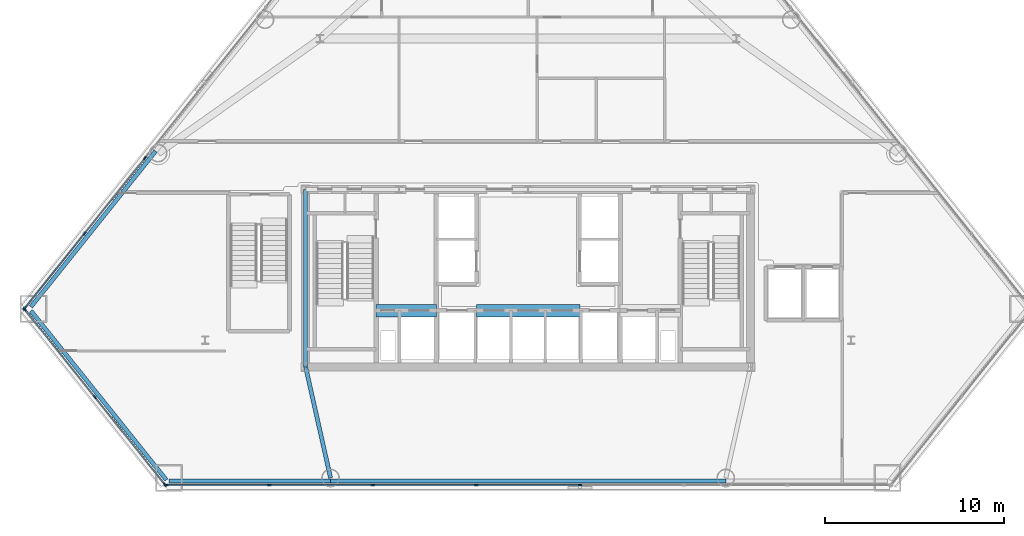
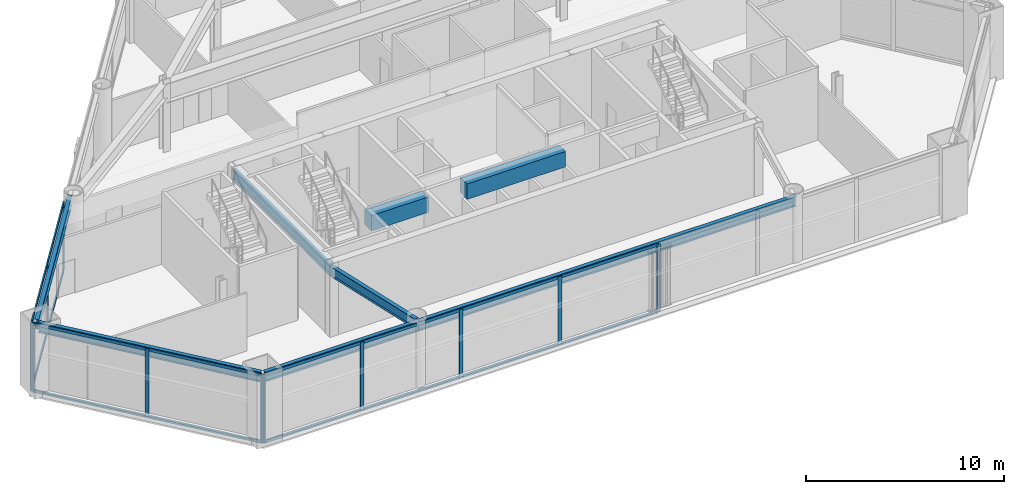
# One storey, part 3 of 13: 27 members, 8 beams, 3 elements without a shape of their own.
"""IFC4 building model written with IfcOpenShell, lengths in metres."""

from ifc_helpers import new_model, si_unit, direction, frame, origin, origin_2d, place, context, subcontext, project, spatial, rectangle, i_section, extrude, material, layer, layer_set, material_profile, profile_set, type_object, element, aggregate, save


model = new_model("IFC4")

# Units and contexts
model_context = context("Model", 3, precision=1e-05, world=origin(), true_north=direction((0.0, 1.0)))
body_context = subcontext(model_context, "Body", "Model", "MODEL_VIEW")
ifc_project = project(units=[si_unit("LENGTHUNIT", "METRE"), si_unit("AREAUNIT", "SQUARE_METRE"), si_unit("VOLUMEUNIT", "CUBIC_METRE"), si_unit("PLANEANGLEUNIT", "RADIAN"), si_unit("MASSUNIT", "GRAM", prefix="KILO")], contexts=[model_context])

# Site, building, storey
site_placement = place(None, origin())
site = spatial("IfcSite", under=ifc_project, at=site_placement, CompositionType="ELEMENT")
building_placement = place(site_placement, origin())
building = spatial("IfcBuilding", under=site, at=building_placement, Name="Talgorran Terracotta Tower", CompositionType="ELEMENT")
storey_placement = place(building_placement, frame((0.0, 0.0, 9.89990234375)))
storey = spatial("IfcBuildingStorey", under=building, at=storey_placement, Name="L02", CompositionType="ELEMENT", Elevation=9.89990234375)

# Beams
ifc_material_1 = material(Name="Concrete C65/80", Category="concrete")
ifc_material_profile_1 = material_profile(ifc_material_1, rectangle(XDim=0.699951171875, YDim=0.949951171875, at=origin_2d()), Name="RCCB700X950")
ifc_profile_set_1 = profile_set([ifc_material_profile_1], Name="Concrete C65/80")
beam_type_1 = type_object("IfcBeamType", Name="BM_CB_700X950", PredefinedType="LINTEL", material=ifc_profile_set_1)
beam_1_placement = place(storey_placement, frame((-8.47998046875, -10.949951171875, 3.7451171875), z_axis=(1.0, 0.0, 0.0), x_axis=(0.0, 1.0, 0.0)))
element("IfcBeam", 1, at=beam_1_placement, inside=storey, type_object=beam_type_1, Name="L02 Core Shear-Wall Coupling Beam CB1", PredefinedType="LINTEL", context=body_context, shape_type="SweptSolid", body=[
    extrude(rectangle(XDim=0.699951171875, YDim=0.949951171875, at=origin_2d()), origin(), (0.0, 0.0, 1.0), 3.35986328125),
])
beam_2_placement = place(storey_placement, frame((-2.8798828125, -10.949951171875, 3.7451171875), z_axis=(1.0, 0.0, 0.0), x_axis=(0.0, 1.0, 0.0)))
element("IfcBeam", 2, at=beam_2_placement, inside=storey, type_object=beam_type_1, Name="L02 Core Shear-Wall Coupling Beam CB2", PredefinedType="LINTEL", context=body_context, shape_type="SweptSolid", body=[
    extrude(rectangle(XDim=0.699951171875, YDim=0.949951171875, at=origin_2d()), origin(), (0.0, 0.0, 1.0), 5.759765625),
])
ifc_material_2 = material(Name="Steel S355 (300PLUS)", Category="steel")
ifc_material_profile_2 = material_profile(ifc_material_2, i_section(OverallWidth=0.22900390625, OverallDepth=0.611572265625, WebThickness=0.011962890625, FlangeThickness=0.01953125, at=origin_2d()), Name="610UB125")
ifc_profile_set_2 = profile_set([ifc_material_profile_2], Name="Steel S355 (300PLUS)")
beam_type_2 = type_object("IfcBeamType", Name="BM_SP_610UB125", PredefinedType="SPANDREL", material=ifc_profile_set_2)
beam_3_placement = place(storey_placement, frame((-27.710205078125, -10.968505859375, 3.914306640625), z_axis=(0.625116627788, -0.780531358539, 0.0), x_axis=(0.780531358539, 0.625116627788, 0.0)))
element("IfcBeam", 3, at=beam_3_placement, inside=storey, type_object=beam_type_2, Name="L02 Perimeter Spandrel Beam MC1-MC2", PredefinedType="SPANDREL", context=body_context, shape_type="SweptSolid", body=[
    extrude(i_section(OverallWidth=0.22900390625, OverallDepth=0.611572265625, WebThickness=0.011962890625, FlangeThickness=0.01953125, at=origin_2d()), origin(), (0.0, 0.0, 1.0), 12.073974609375),
])
beam_4_placement = place(storey_placement, frame((-20.022216796875, -20.4599609375, 3.914306640625), z_axis=(1.0, 0.0, 0.0), x_axis=(0.0, 1.0, 0.0)))
element("IfcBeam", 4, at=beam_4_placement, inside=storey, type_object=beam_type_2, Name="L02 Perimeter Spandrel Beam MC2-FC1", PredefinedType="SPANDREL", context=body_context, shape_type="SweptSolid", body=[
    extrude(i_section(OverallWidth=0.22900390625, OverallDepth=0.611572265625, WebThickness=0.011962890625, FlangeThickness=0.01953125, at=origin_2d()), origin(), (0.0, 0.0, 1.0), 9.010009765625),
])
beam_5_placement = place(storey_placement, frame((-11.01220703125, -20.4599609375, 3.914306640625), z_axis=(1.0, 0.0, 0.0), x_axis=(0.0, 1.0, 0.0)))
element("IfcBeam", 5, at=beam_5_placement, inside=storey, type_object=beam_type_2, Name="L02 Perimeter Spandrel Beam FC1-FC2", PredefinedType="SPANDREL", context=body_context, shape_type="SweptSolid", body=[
    extrude(i_section(OverallWidth=0.22900390625, OverallDepth=0.611572265625, WebThickness=0.011962890625, FlangeThickness=0.01953125, at=origin_2d()), origin(), (0.0, 0.0, 1.0), 22.0244140625),
])
beam_6_placement = place(storey_placement, frame((-20.7607421875, -2.06640625, 3.914306640625), z_axis=(-0.625126142132, -0.780523738539, 0.0), x_axis=(0.780523738539, -0.625126142132, 0.0)))
element("IfcBeam", 6, at=beam_6_placement, inside=storey, type_object=beam_type_2, Name="L02 Perimeter Spandrel Beam FC6-MC1", PredefinedType="SPANDREL", context=body_context, shape_type="SweptSolid", body=[
    extrude(i_section(OverallWidth=0.22900390625, OverallDepth=0.611572265625, WebThickness=0.011962890625, FlangeThickness=0.01953125, at=origin_2d()), origin(), (0.0, 0.0, 1.0), 11.116943359375),
])
beam_7_placement = place(storey_placement, frame((-11.01220703125, -20.280029296875, 3.914306640625), z_axis=(-0.219093011867, 0.975703977726, 0.0), x_axis=(-0.975703977726, -0.219093011867, 0.0)))
element("IfcBeam", 7, at=beam_7_placement, inside=storey, type_object=beam_type_2, Name="L02 South-West Core Tie Beam", PredefinedType="SPANDREL", context=body_context, shape_type="SweptSolid", body=[
    extrude(i_section(OverallWidth=0.22900390625, OverallDepth=0.611572265625, WebThickness=0.011962890625, FlangeThickness=0.01953125, at=origin_2d()), origin(), (0.0, 0.0, 1.0), 6.333740234375),
])
beam_8_placement = place(storey_placement, frame((-12.39990234375, -14.10009765625, 3.914306640625), z_axis=(0.0, 1.0, 0.0), x_axis=(-1.0, 0.0, 0.0)))
element("IfcBeam", 8, at=beam_8_placement, inside=storey, type_object=beam_type_2, Name="L02 Core Frame Beam CFW", PredefinedType="SPANDREL", context=body_context, shape_type="SweptSolid", body=[
    extrude(i_section(OverallWidth=0.22900390625, OverallDepth=0.611572265625, WebThickness=0.011962890625, FlangeThickness=0.01953125, at=origin_2d()), origin(), (0.0, 0.0, 1.0), 9.900146484375),
])

# Curtain wall, members
ifc_material_3 = material(Name="Terracotta and Low-E Glazing", Category="masonry")
ifc_layer = layer(ifc_material_3, 0.219970703125, Name="CW_SYS1_PODIUM")
ifc_layer_set = layer_set([ifc_layer], Name="Terracotta and Low-E Glazing")
curtain_wall_type = type_object("IfcCurtainWallType", Name="CW_SYS1_PODIUM", PredefinedType="NOTDEFINED", material=ifc_layer_set)
curtain_wall_1_placement = place(storey_placement, origin())
curtain_wall_1 = element("IfcCurtainWall", 9, at=curtain_wall_1_placement, inside=storey, type_object=curtain_wall_type, Name="CW-L02-F0", PredefinedType="NOTDEFINED")
ifc_material_4 = material(Name="Architectural Aluminium 6063-T6", Category="aluminium")
ifc_material_profile_3 = material_profile(ifc_material_4, rectangle(XDim=0.074951171875, YDim=0.219970703125, at=origin_2d()), Name="CWM75X220")
ifc_profile_set_3 = profile_set([ifc_material_profile_3], Name="Architectural Aluminium 6063-T6")
member_type_1 = type_object("IfcMemberType", Name="MUL_75X220", PredefinedType="MULLION", material=ifc_profile_set_3)
member_1_placement = place(storey_placement, frame((-28.058837890625, -10.88525390625, 0.0), z_axis=(0.0, 0.0, 1.0), x_axis=(0.780531511293, 0.625116437056, 0.0)))
member_1 = element("IfcMember", 10, at=member_1_placement, type_object=member_type_1, Name="CW-L02-0 mullion 1", PredefinedType="MULLION", context=body_context, shape_type="SweptSolid", body=[
    extrude(rectangle(XDim=0.074951171875, YDim=0.219970703125, at=origin_2d()), origin(), (0.0, 0.0, 1.0), 4.22021484375),
])
member_2_placement = place(storey_placement, frame((-24.1484375, -15.76806640625, 0.0), z_axis=(0.0, 0.0, 1.0), x_axis=(0.780531511293, 0.625116437056, 0.0)))
member_2 = element("IfcMember", 11, at=member_2_placement, type_object=member_type_1, Name="CW-L02-0 mullion 2", PredefinedType="MULLION", context=body_context, shape_type="SweptSolid", body=[
    extrude(rectangle(XDim=0.074951171875, YDim=0.219970703125, at=origin_2d()), origin(), (0.0, 0.0, 1.0), 4.22021484375),
])
member_3_placement = place(storey_placement, frame((-20.23779296875, -20.650634765625, 0.0), z_axis=(0.0, 0.0, 1.0), x_axis=(0.780531511293, 0.625116437056, 0.0)))
member_3 = element("IfcMember", 12, at=member_3_placement, type_object=member_type_1, Name="CW-L02-0 mullion 3", PredefinedType="MULLION", context=body_context, shape_type="SweptSolid", body=[
    extrude(rectangle(XDim=0.074951171875, YDim=0.219970703125, at=origin_2d()), origin(), (0.0, 0.0, 1.0), 4.22021484375),
])

curtain_wall_2_placement = place(storey_placement, origin())
curtain_wall_2 = element("IfcCurtainWall", 13, at=curtain_wall_2_placement, inside=storey, type_object=curtain_wall_type, Name="CW-L02-F1", PredefinedType="NOTDEFINED")
member_4_placement = place(storey_placement, frame((-20.177001953125, -20.679931640625, 0.0), z_axis=(0.0, 0.0, 1.0), x_axis=(0.0, 1.0, 0.0)))
member_4 = element("IfcMember", 14, at=member_4_placement, type_object=member_type_1, Name="CW-L02-1 mullion 1", PredefinedType="MULLION", context=body_context, shape_type="SweptSolid", body=[
    extrude(rectangle(XDim=0.074951171875, YDim=0.219970703125, at=origin_2d()), origin(), (0.0, 0.0, 1.0), 4.22021484375),
])
member_5_placement = place(storey_placement, frame((-14.43896484375, -20.679931640625, 0.0), z_axis=(0.0, 0.0, 1.0), x_axis=(0.0, 1.0, 0.0)))
member_5 = element("IfcMember", 15, at=member_5_placement, type_object=member_type_1, Name="CW-L02-1 mullion 2", PredefinedType="MULLION", context=body_context, shape_type="SweptSolid", body=[
    extrude(rectangle(XDim=0.074951171875, YDim=0.219970703125, at=origin_2d()), origin(), (0.0, 0.0, 1.0), 4.22021484375),
])
member_6_placement = place(storey_placement, frame((-8.663330078125, -20.679931640625, 0.0), z_axis=(0.0, 0.0, 1.0), x_axis=(0.0, 1.0, 0.0)))
member_6 = element("IfcMember", 16, at=member_6_placement, type_object=member_type_1, Name="CW-L02-1 mullion 3", PredefinedType="MULLION", context=body_context, shape_type="SweptSolid", body=[
    extrude(rectangle(XDim=0.074951171875, YDim=0.219970703125, at=origin_2d()), origin(), (0.0, 0.0, 1.0), 4.22021484375),
])
member_7_placement = place(storey_placement, frame((-2.8876953125, -20.679931640625, 0.0), z_axis=(0.0, 0.0, 1.0), x_axis=(0.0, 1.0, 0.0)))
member_7 = element("IfcMember", 17, at=member_7_placement, type_object=member_type_1, Name="CW-L02-1 mullion 4", PredefinedType="MULLION", context=body_context, shape_type="SweptSolid", body=[
    extrude(rectangle(XDim=0.074951171875, YDim=0.219970703125, at=origin_2d()), origin(), (0.0, 0.0, 1.0), 4.22021484375),
])
member_8_placement = place(storey_placement, frame((2.8876953125, -20.679931640625, 0.0), z_axis=(0.0, 0.0, 1.0), x_axis=(0.0, 1.0, 0.0)))
member_8 = element("IfcMember", 18, at=member_8_placement, type_object=member_type_1, Name="CW-L02-1 mullion 5", PredefinedType="MULLION", context=body_context, shape_type="SweptSolid", body=[
    extrude(rectangle(XDim=0.074951171875, YDim=0.219970703125, at=origin_2d()), origin(), (0.0, 0.0, 1.0), 4.22021484375),
])

curtain_wall_3_placement = place(storey_placement, origin())
curtain_wall_3 = element("IfcCurtainWall", 19, at=curtain_wall_3_placement, inside=storey, type_object=curtain_wall_type, Name="CW-L02-F5", PredefinedType="NOTDEFINED")
member_9_placement = place(storey_placement, frame((-21.35693359375, -2.458740234375, 0.0), z_axis=(0.0, 0.0, 1.0), x_axis=(0.780531657787, -0.625116254142, 0.0)))
member_9 = element("IfcMember", 20, at=member_9_placement, type_object=member_type_1, Name="CW-L02-5 mullion 5", PredefinedType="MULLION", context=body_context, shape_type="SweptSolid", body=[
    extrude(rectangle(XDim=0.074951171875, YDim=0.219970703125, at=origin_2d()), origin(), (0.0, 0.0, 1.0), 4.22021484375),
])
member_10_placement = place(storey_placement, frame((-24.7197265625, -6.6572265625, 0.0), z_axis=(0.0, 0.0, 1.0), x_axis=(0.780531657787, -0.625116254142, 0.0)))
member_10 = element("IfcMember", 21, at=member_10_placement, type_object=member_type_1, Name="CW-L02-5 mullion 6", PredefinedType="MULLION", context=body_context, shape_type="SweptSolid", body=[
    extrude(rectangle(XDim=0.074951171875, YDim=0.219970703125, at=origin_2d()), origin(), (0.0, 0.0, 1.0), 4.22021484375),
])
member_11_placement = place(storey_placement, frame((-28.058837890625, -10.82666015625, 0.0), z_axis=(0.0, 0.0, 1.0), x_axis=(0.780531657787, -0.625116254142, 0.0)))
member_11 = element("IfcMember", 22, at=member_11_placement, type_object=member_type_1, Name="CW-L02-5 mullion 7", PredefinedType="MULLION", context=body_context, shape_type="SweptSolid", body=[
    extrude(rectangle(XDim=0.074951171875, YDim=0.219970703125, at=origin_2d()), origin(), (0.0, 0.0, 1.0), 4.22021484375),
])

# Member
ifc_material_profile_4 = material_profile(ifc_material_4, rectangle(XDim=0.074951171875, YDim=0.179931640625, at=origin_2d()), Name="CWT75X180")
ifc_profile_set_4 = profile_set([ifc_material_profile_4], Name="Architectural Aluminium 6063-T6")
member_type_2 = type_object("IfcMemberType", Name="TRN_75X180", PredefinedType="USERDEFINED", material=ifc_profile_set_4)
member_12_placement = place(storey_placement, frame((-28.035400390625, -10.91455078125, 0.03759765625), z_axis=(0.625104423976, -0.780541132244, 0.0), x_axis=(0.780541132244, 0.625104423976, 0.0)))
member_12 = element("IfcMember", 23, at=member_12_placement, type_object=member_type_2, Name="CW-L02-0 transom 1.1", ObjectType="TRANSOM", PredefinedType="USERDEFINED", context=body_context, shape_type="SweptSolid", body=[
    extrude(rectangle(XDim=0.074951171875, YDim=0.179931640625, at=origin_2d()), origin(), (0.0, 0.0, 1.0), 6.1806640625),
])

member_13_placement = place(storey_placement, frame((-28.035400390625, -10.91455078125, 4.1826171875), z_axis=(0.625104423976, -0.780541132244, 0.0), x_axis=(0.780541132244, 0.625104423976, 0.0)))
member_13 = element("IfcMember", 24, at=member_13_placement, type_object=member_type_2, Name="CW-L02-0 transom 1.2", ObjectType="TRANSOM", PredefinedType="USERDEFINED", context=body_context, shape_type="SweptSolid", body=[
    extrude(rectangle(XDim=0.074951171875, YDim=0.179931640625, at=origin_2d()), origin(), (0.0, 0.0, 1.0), 6.1806640625),
])

member_14_placement = place(storey_placement, frame((-24.125, -15.79736328125, 0.03759765625), z_axis=(0.625128488892, -0.780521858999, 0.0), x_axis=(0.780521858999, 0.625128488892, 0.0)))
member_14 = element("IfcMember", 25, at=member_14_placement, type_object=member_type_2, Name="CW-L02-0 transom 2.1", ObjectType="TRANSOM", PredefinedType="USERDEFINED", context=body_context, shape_type="SweptSolid", body=[
    extrude(rectangle(XDim=0.074951171875, YDim=0.179931640625, at=origin_2d()), origin(), (0.0, 0.0, 1.0), 6.1806640625),
])

member_15_placement = place(storey_placement, frame((-24.125, -15.79736328125, 4.1826171875), z_axis=(0.625128488892, -0.780521858999, 0.0), x_axis=(0.780521858999, 0.625128488892, 0.0)))
member_15 = element("IfcMember", 26, at=member_15_placement, type_object=member_type_2, Name="CW-L02-0 transom 2.2", ObjectType="TRANSOM", PredefinedType="USERDEFINED", context=body_context, shape_type="SweptSolid", body=[
    extrude(rectangle(XDim=0.074951171875, YDim=0.179931640625, at=origin_2d()), origin(), (0.0, 0.0, 1.0), 6.1806640625),
])

aggregate(curtain_wall_1, [member_1, member_2, member_3, member_12, member_13, member_14, member_15])

member_16_placement = place(storey_placement, frame((-20.139404296875, -20.679931640625, 0.03759765625), z_axis=(1.0, 0.0, 0.0), x_axis=(0.0, 1.0, 0.0)))
member_16 = element("IfcMember", 27, at=member_16_placement, type_object=member_type_2, Name="CW-L02-1 transom 1.1", ObjectType="TRANSOM", PredefinedType="USERDEFINED", context=body_context, shape_type="SweptSolid", body=[
    extrude(rectangle(XDim=0.074951171875, YDim=0.179931640625, at=origin_2d()), origin(), (0.0, 0.0, 1.0), 5.6630859375),
])

member_17_placement = place(storey_placement, frame((-20.139404296875, -20.679931640625, 4.1826171875), z_axis=(1.0, 0.0, 0.0), x_axis=(0.0, 1.0, 0.0)))
member_17 = element("IfcMember", 28, at=member_17_placement, type_object=member_type_2, Name="CW-L02-1 transom 1.2", ObjectType="TRANSOM", PredefinedType="USERDEFINED", context=body_context, shape_type="SweptSolid", body=[
    extrude(rectangle(XDim=0.074951171875, YDim=0.179931640625, at=origin_2d()), origin(), (0.0, 0.0, 1.0), 5.6630859375),
])

member_18_placement = place(storey_placement, frame((-14.4013671875, -20.679931640625, 0.03759765625), z_axis=(1.0, 0.0, 0.0), x_axis=(0.0, 1.0, 0.0)))
member_18 = element("IfcMember", 29, at=member_18_placement, type_object=member_type_2, Name="CW-L02-1 transom 2.1", ObjectType="TRANSOM", PredefinedType="USERDEFINED", context=body_context, shape_type="SweptSolid", body=[
    extrude(rectangle(XDim=0.074951171875, YDim=0.179931640625, at=origin_2d()), origin(), (0.0, 0.0, 1.0), 5.700439453125),
])

member_19_placement = place(storey_placement, frame((-14.4013671875, -20.679931640625, 4.1826171875), z_axis=(1.0, 0.0, 0.0), x_axis=(0.0, 1.0, 0.0)))
member_19 = element("IfcMember", 30, at=member_19_placement, type_object=member_type_2, Name="CW-L02-1 transom 2.2", ObjectType="TRANSOM", PredefinedType="USERDEFINED", context=body_context, shape_type="SweptSolid", body=[
    extrude(rectangle(XDim=0.074951171875, YDim=0.179931640625, at=origin_2d()), origin(), (0.0, 0.0, 1.0), 5.700439453125),
])

member_20_placement = place(storey_placement, frame((-8.625732421875, -20.679931640625, 0.03759765625), z_axis=(1.0, 0.0, 0.0), x_axis=(0.0, 1.0, 0.0)))
member_20 = element("IfcMember", 31, at=member_20_placement, type_object=member_type_2, Name="CW-L02-1 transom 3.1", ObjectType="TRANSOM", PredefinedType="USERDEFINED", context=body_context, shape_type="SweptSolid", body=[
    extrude(rectangle(XDim=0.074951171875, YDim=0.179931640625, at=origin_2d()), origin(), (0.0, 0.0, 1.0), 5.700439453125),
])

member_21_placement = place(storey_placement, frame((-8.625732421875, -20.679931640625, 4.1826171875), z_axis=(1.0, 0.0, 0.0), x_axis=(0.0, 1.0, 0.0)))
member_21 = element("IfcMember", 32, at=member_21_placement, type_object=member_type_2, Name="CW-L02-1 transom 3.2", ObjectType="TRANSOM", PredefinedType="USERDEFINED", context=body_context, shape_type="SweptSolid", body=[
    extrude(rectangle(XDim=0.074951171875, YDim=0.179931640625, at=origin_2d()), origin(), (0.0, 0.0, 1.0), 5.700439453125),
])

member_22_placement = place(storey_placement, frame((-2.850341796875, -20.679931640625, 0.03759765625), z_axis=(1.0, 0.0, 0.0), x_axis=(0.0, 1.0, 0.0)))
member_22 = element("IfcMember", 33, at=member_22_placement, type_object=member_type_2, Name="CW-L02-1 transom 4.1", ObjectType="TRANSOM", PredefinedType="USERDEFINED", context=body_context, shape_type="SweptSolid", body=[
    extrude(rectangle(XDim=0.074951171875, YDim=0.179931640625, at=origin_2d()), origin(), (0.0, 0.0, 1.0), 5.70068359375),
])

member_23_placement = place(storey_placement, frame((-2.850341796875, -20.679931640625, 4.1826171875), z_axis=(1.0, 0.0, 0.0), x_axis=(0.0, 1.0, 0.0)))
member_23 = element("IfcMember", 34, at=member_23_placement, type_object=member_type_2, Name="CW-L02-1 transom 4.2", ObjectType="TRANSOM", PredefinedType="USERDEFINED", context=body_context, shape_type="SweptSolid", body=[
    extrude(rectangle(XDim=0.074951171875, YDim=0.179931640625, at=origin_2d()), origin(), (0.0, 0.0, 1.0), 5.70068359375),
])

aggregate(curtain_wall_2, [member_4, member_5, member_6, member_7, member_8, member_16, member_17, member_18, member_19, member_20, member_21, member_22, member_23])

member_24_placement = place(storey_placement, frame((-21.38037109375, -2.488037109375, 0.03759765625), z_axis=(-0.625132763003, -0.780518435798, 0.0), x_axis=(0.780518435798, -0.625132763003, 0.0)))
member_24 = element("IfcMember", 35, at=member_24_placement, type_object=member_type_2, Name="CW-L02-5 transom 5.1", ObjectType="TRANSOM", PredefinedType="USERDEFINED", context=body_context, shape_type="SweptSolid", body=[
    extrude(rectangle(XDim=0.074951171875, YDim=0.179931640625, at=origin_2d()), origin(), (0.0, 0.0, 1.0), 5.304443359375),
])

member_25_placement = place(storey_placement, frame((-21.38037109375, -2.488037109375, 4.1826171875), z_axis=(-0.625132763003, -0.780518435798, 0.0), x_axis=(0.780518435798, -0.625132763003, 0.0)))
member_25 = element("IfcMember", 36, at=member_25_placement, type_object=member_type_2, Name="CW-L02-5 transom 5.2", ObjectType="TRANSOM", PredefinedType="USERDEFINED", context=body_context, shape_type="SweptSolid", body=[
    extrude(rectangle(XDim=0.074951171875, YDim=0.179931640625, at=origin_2d()), origin(), (0.0, 0.0, 1.0), 5.304443359375),
])

member_26_placement = place(storey_placement, frame((-24.7431640625, -6.6865234375, 0.03759765625), z_axis=(-0.625107639786, -0.780538556819, 0.0), x_axis=(0.780538556819, -0.625107639786, 0.0)))
member_26 = element("IfcMember", 37, at=member_26_placement, type_object=member_type_2, Name="CW-L02-5 transom 6.1", ObjectType="TRANSOM", PredefinedType="USERDEFINED", context=body_context, shape_type="SweptSolid", body=[
    extrude(rectangle(XDim=0.074951171875, YDim=0.179931640625, at=origin_2d()), origin(), (0.0, 0.0, 1.0), 5.2666015625),
])

member_27_placement = place(storey_placement, frame((-24.7431640625, -6.6865234375, 4.1826171875), z_axis=(-0.625107639786, -0.780538556819, 0.0), x_axis=(0.780538556819, -0.625107639786, 0.0)))
member_27 = element("IfcMember", 38, at=member_27_placement, type_object=member_type_2, Name="CW-L02-5 transom 6.2", ObjectType="TRANSOM", PredefinedType="USERDEFINED", context=body_context, shape_type="SweptSolid", body=[
    extrude(rectangle(XDim=0.074951171875, YDim=0.179931640625, at=origin_2d()), origin(), (0.0, 0.0, 1.0), 5.2666015625),
])

aggregate(curtain_wall_3, [member_9, member_10, member_11, member_24, member_25, member_26, member_27])

save(model, "model.ifc")
